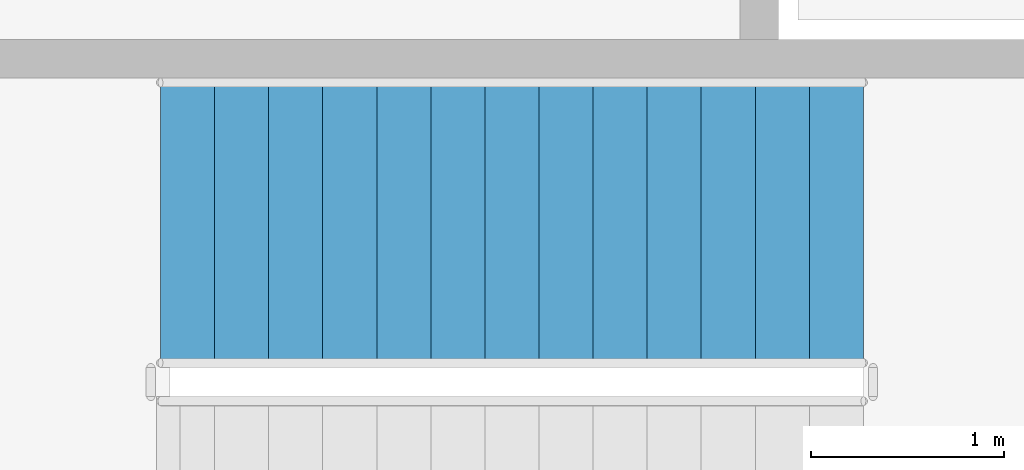
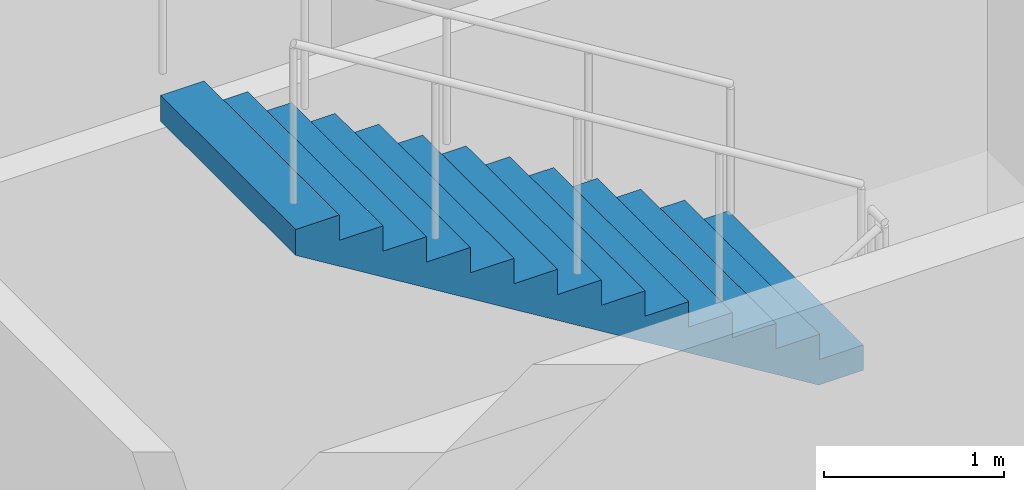
# One storey, part 70 of 91: 1 stair flight, 1 element without a shape of its own.
"""IFC4 building model written with IfcOpenShell, lengths in metres."""

from ifc_helpers import new_model, si_unit, direction, frame, origin, place, context, subcontext, project, spatial, triangles, material, type_object, element, aggregate, save


model = new_model("IFC4")

# Units and contexts
model_context = context("Model", 3, precision=1e-05, world=origin(), true_north=direction((0.0, 1.0)))
body_context = subcontext(model_context, "Body", "Model", "MODEL_VIEW")
ifc_project = project(units=[si_unit("LENGTHUNIT", "METRE"), si_unit("AREAUNIT", "SQUARE_METRE"), si_unit("VOLUMEUNIT", "CUBIC_METRE"), si_unit("PLANEANGLEUNIT", "RADIAN"), si_unit("MASSUNIT", "GRAM", prefix="KILO")], contexts=[model_context])

# Site, building, storey
site_placement = place(None, origin())
site = spatial("IfcSite", under=ifc_project, at=site_placement, CompositionType="ELEMENT")
building_placement = place(site_placement, origin())
building = spatial("IfcBuilding", under=site, at=building_placement, Name="Magnolia Steps Interchange", CompositionType="ELEMENT")
storey_placement = place(building_placement, origin())
storey = spatial("IfcBuildingStorey", under=building, at=storey_placement, Name="L00", CompositionType="ELEMENT", Elevation=0.0)

# Stair, stair flight
ifc_material_1 = material(Name="Concrete C40", Category="concrete")
stair_type = type_object("IfcStairType", Name="Exit stair 1500", PredefinedType="HALF_TURN_STAIR", material=ifc_material_1)
stair_placement = place(storey_placement, origin())
stair = element("IfcStair", 1, at=stair_placement, inside=storey, type_object=stair_type, Name="L00 Stair 4", PredefinedType="HALF_TURN_STAIR")
ifc_material_2 = material(Name="Concrete C40", Category="concrete")
stair_flight_type = type_object("IfcStairFlightType", Name="Exit stair flight", PredefinedType="STRAIGHT", material=ifc_material_2)
stair_flight_placement = place(storey_placement, frame((115.840087890625, 77.699951171875, 2.39990234375), z_axis=(0.0, 0.0, 1.0), x_axis=(-1.0, 0.0, 0.0)))
stair_flight = element("IfcStairFlight", 2, at=stair_flight_placement, type_object=stair_flight_type, Name="Stair 4 flight 2", NumberOfRisers=14, NumberOfTreads=13, PredefinedType="STRAIGHT", RiserHeight=0.171428571, TreadLength=0.28, context=body_context, shape_type="Tessellation", body=[
    triangles([(0.0, -0.75, 0.0), (0.287109375, -0.75, 0.0), (3.639892578125, -0.75, 2.052734375), (3.639892578125, -0.75, 2.228515625), (3.360107421875, -0.75, 2.228515625), (3.360107421875, -0.75, 2.05712890625), (3.080078125, -0.75, 2.05712890625), (3.080078125, -0.75, 1.8857421875), (2.800048828125, -0.75, 1.8857421875), (2.800048828125, -0.75, 1.71435546875), (2.52001953125, -0.75, 1.71435546875), (2.52001953125, -0.75, 1.54296875), (2.239990234375, -0.75, 1.54296875), (2.239990234375, -0.75, 1.371337890625), (1.9599609375, -0.75, 1.371337890625), (1.9599609375, -0.75, 1.199951171875), (1.679931640625, -0.75, 1.199951171875), (1.679931640625, -0.75, 1.028564453125), (1.39990234375, -0.75, 1.028564453125), (1.39990234375, -0.75, 0.857177734375), (1.1201171875, -0.75, 0.857177734375), (1.1201171875, -0.75, 0.685791015625), (0.840087890625, -0.75, 0.685791015625), (0.840087890625, -0.75, 0.514404296875), (0.56005859375, -0.75, 0.514404296875), (0.56005859375, -0.75, 0.3427734375), (0.280029296875, -0.75, 0.3427734375), (0.280029296875, -0.75, 0.17138671875), (0.0, -0.75, 0.17138671875), (0.0, 0.75, 0.0), (0.287109375, 0.75, 0.0), (3.639892578125, 0.75, 2.052734375), (3.639892578125, 0.75, 2.228515625), (3.360107421875, 0.75, 2.228515625), (3.360107421875, 0.75, 2.05712890625), (3.080078125, 0.75, 2.05712890625), (3.080078125, 0.75, 1.8857421875), (2.800048828125, 0.75, 1.8857421875), (2.800048828125, 0.75, 1.71435546875), (2.52001953125, 0.75, 1.71435546875), (2.52001953125, 0.75, 1.54296875), (2.239990234375, 0.75, 1.54296875), (2.239990234375, 0.75, 1.371337890625), (1.9599609375, 0.75, 1.371337890625), (1.9599609375, 0.75, 1.199951171875), (1.679931640625, 0.75, 1.199951171875), (1.679931640625, 0.75, 1.028564453125), (1.39990234375, 0.75, 1.028564453125), (1.39990234375, 0.75, 0.857177734375), (1.1201171875, 0.75, 0.857177734375), (1.1201171875, 0.75, 0.685791015625), (0.840087890625, 0.75, 0.685791015625), (0.840087890625, 0.75, 0.514404296875), (0.56005859375, 0.75, 0.514404296875), (0.56005859375, 0.75, 0.3427734375), (0.280029296875, 0.75, 0.3427734375), (0.280029296875, 0.75, 0.17138671875), (0.0, 0.75, 0.17138671875), (0.0, 0.0, 0.0), (0.0, 0.0, 0.0428466796875), (0.0, 0.0, 0.085693359375), (0.0, 0.0, 0.1285400390625), (0.0, 0.0, 0.17138671875), (0.0, -0.05, 0.0), (0.0, -0.05, 0.17138671875), (0.0, 0.05, 0.0), (0.0, 0.05, 0.17138671875), (0.046671549479166664, 0.0, 0.17138671875), (0.09334309895833333, 0.0, 0.17138671875), (0.1400146484375, 0.0, 0.17138671875), (0.18668619791666666, 0.0, 0.17138671875), (0.23335774739583334, 0.0, 0.17138671875), (0.280029296875, 0.0, 0.17138671875), (0.280029296875, -0.05, 0.17138671875), (0.280029296875, 0.05, 0.17138671875), (0.280029296875, 0.0, 0.2142333984375), (0.280029296875, 0.0, 0.257080078125), (0.280029296875, 0.0, 0.2999267578125), (0.280029296875, 0.0, 0.3427734375), (0.280029296875, -0.05, 0.3427734375), (0.280029296875, 0.05, 0.3427734375), (0.3267008463541667, 0.0, 0.3427734375), (0.3733723958333333, 0.0, 0.3427734375), (0.4200439453125, 0.0, 0.3427734375), (0.46671549479166663, 0.0, 0.3427734375), (0.5133870442708334, 0.0, 0.3427734375), (0.56005859375, 0.0, 0.3427734375), (0.56005859375, -0.05, 0.3427734375), (0.56005859375, 0.05, 0.3427734375), (0.56005859375, 0.0, 0.38568115234375), (0.56005859375, 0.0, 0.4285888671875), (0.56005859375, 0.0, 0.47149658203125), (0.56005859375, 0.0, 0.514404296875), (0.56005859375, -0.05, 0.514404296875), (0.56005859375, 0.05, 0.514404296875), (0.6067301432291666, 0.0, 0.514404296875), (0.6534016927083334, 0.0, 0.514404296875), (0.7000732421875, 0.0, 0.514404296875), (0.7467447916666666, 0.0, 0.514404296875), (0.7934163411458334, 0.0, 0.514404296875), (0.840087890625, 0.0, 0.514404296875), (0.840087890625, -0.05, 0.514404296875), (0.840087890625, 0.05, 0.514404296875), (0.840087890625, 0.0, 0.5572509765625), (0.840087890625, 0.0, 0.60009765625), (0.840087890625, 0.0, 0.6429443359375), (0.840087890625, 0.0, 0.685791015625), (0.840087890625, -0.05, 0.685791015625), (0.840087890625, 0.05, 0.685791015625), (0.8867594401041666, 0.0, 0.685791015625), (0.9334309895833334, 0.0, 0.685791015625), (0.9801025390625, 0.0, 0.685791015625), (1.0267740885416667, 0.0, 0.685791015625), (1.0734456380208333, 0.0, 0.685791015625), (1.1201171875, 0.0, 0.685791015625), (1.1201171875, -0.05, 0.685791015625), (1.1201171875, 0.05, 0.685791015625), (1.1201171875, 0.0, 0.7286376953125), (1.1201171875, 0.0, 0.771484375), (1.1201171875, 0.0, 0.8143310546875), (1.1201171875, 0.0, 0.857177734375), (1.1201171875, -0.05, 0.857177734375), (1.1201171875, 0.05, 0.857177734375), (1.1900634765625, 0.0, 0.857177734375), (1.260009765625, 0.0, 0.857177734375), (1.3299560546875, 0.0, 0.857177734375), (1.39990234375, 0.0, 0.857177734375), (1.39990234375, -0.05, 0.857177734375), (1.39990234375, 0.05, 0.857177734375), (1.39990234375, 0.0, 0.9000244140625), (1.39990234375, 0.0, 0.94287109375), (1.39990234375, 0.0, 0.9857177734375), (1.39990234375, 0.0, 1.028564453125), (1.39990234375, -0.05, 1.028564453125), (1.39990234375, 0.05, 1.028564453125), (1.4465738932291667, 0.0, 1.028564453125), (1.4932454427083333, 0.0, 1.028564453125), (1.5399169921875, 0.0, 1.028564453125), (1.5865885416666667, 0.0, 1.028564453125), (1.6332600911458333, 0.0, 1.028564453125), (1.679931640625, 0.0, 1.028564453125), (1.679931640625, -0.05, 1.028564453125), (1.679931640625, 0.05, 1.028564453125), (1.679931640625, 0.0, 1.0714111328125), (1.679931640625, 0.0, 1.1142578125), (1.679931640625, 0.0, 1.1571044921875), (1.679931640625, 0.0, 1.199951171875), (1.679931640625, -0.05, 1.199951171875), (1.679931640625, 0.05, 1.199951171875), (1.7266031901041667, 0.0, 1.199951171875), (1.7732747395833333, 0.0, 1.199951171875), (1.8199462890625, 0.0, 1.199951171875), (1.8666178385416667, 0.0, 1.199951171875), (1.9132893880208333, 0.0, 1.199951171875), (1.9599609375, 0.0, 1.199951171875), (1.9599609375, -0.05, 1.199951171875), (1.9599609375, 0.05, 1.199951171875), (1.9599609375, 0.0, 1.2427978515625), (1.9599609375, 0.0, 1.28564453125), (1.9599609375, 0.0, 1.3284912109375), (1.9599609375, 0.0, 1.371337890625), (1.9599609375, -0.05, 1.371337890625), (1.9599609375, 0.05, 1.371337890625), (2.0066324869791665, 0.0, 1.371337890625), (2.0533040364583335, 0.0, 1.371337890625), (2.0999755859375, 0.0, 1.371337890625), (2.1466471354166665, 0.0, 1.371337890625), (2.1933186848958335, 0.0, 1.371337890625), (2.239990234375, 0.0, 1.371337890625), (2.239990234375, -0.05, 1.371337890625), (2.239990234375, 0.05, 1.371337890625), (2.239990234375, 0.0, 1.41424560546875), (2.239990234375, 0.0, 1.4571533203125), (2.239990234375, 0.0, 1.50006103515625), (2.239990234375, 0.0, 1.54296875), (2.239990234375, -0.05, 1.54296875), (2.239990234375, 0.05, 1.54296875), (2.2866617838541665, 0.0, 1.54296875), (2.3333333333333335, 0.0, 1.54296875), (2.3800048828125, 0.0, 1.54296875), (2.4266764322916665, 0.0, 1.54296875), (2.4733479817708335, 0.0, 1.54296875), (2.52001953125, 0.0, 1.54296875), (2.52001953125, -0.05, 1.54296875), (2.52001953125, 0.05, 1.54296875), (2.52001953125, 0.0, 1.5858154296875), (2.52001953125, 0.0, 1.628662109375), (2.52001953125, 0.0, 1.6715087890625), (2.52001953125, 0.0, 1.71435546875), (2.52001953125, -0.05, 1.71435546875), (2.52001953125, 0.05, 1.71435546875), (2.5666910807291665, 0.0, 1.71435546875), (2.6133626302083335, 0.0, 1.71435546875), (2.6600341796875, 0.0, 1.71435546875), (2.7067057291666665, 0.0, 1.71435546875), (2.7533772786458335, 0.0, 1.71435546875), (2.800048828125, 0.0, 1.71435546875), (2.800048828125, -0.05, 1.71435546875), (2.800048828125, 0.05, 1.71435546875), (2.800048828125, 0.0, 1.7572021484375), (2.800048828125, 0.0, 1.800048828125), (2.800048828125, 0.0, 1.8428955078125), (2.800048828125, 0.0, 1.8857421875), (2.800048828125, -0.05, 1.8857421875), (2.800048828125, 0.05, 1.8857421875), (2.8467203776041665, 0.0, 1.8857421875), (2.8933919270833335, 0.0, 1.8857421875), (2.9400634765625, 0.0, 1.8857421875), (2.9867350260416665, 0.0, 1.8857421875), (3.0334065755208335, 0.0, 1.8857421875), (3.080078125, 0.0, 1.8857421875), (3.080078125, -0.05, 1.8857421875), (3.080078125, 0.05, 1.8857421875), (3.080078125, 0.0, 1.9285888671875), (3.080078125, 0.0, 1.971435546875), (3.080078125, 0.0, 2.0142822265625), (3.080078125, 0.0, 2.05712890625), (3.080078125, -0.05, 2.05712890625), (3.080078125, 0.05, 2.05712890625), (3.1267496744791665, 0.0, 2.05712890625), (3.1734212239583335, 0.0, 2.05712890625), (3.2200927734375, 0.0, 2.05712890625), (3.2667643229166665, 0.0, 2.05712890625), (3.3134358723958335, 0.0, 2.05712890625), (3.360107421875, 0.0, 2.05712890625), (3.360107421875, -0.05, 2.05712890625), (3.360107421875, 0.05, 2.05712890625), (3.360107421875, 0.0, 2.0999755859375), (3.360107421875, 0.0, 2.142822265625), (3.360107421875, 0.0, 2.1856689453125), (3.360107421875, 0.0, 2.228515625), (3.360107421875, -0.05, 2.228515625), (3.360107421875, 0.05, 2.228515625), (3.4300537109375, 0.0, 2.228515625), (3.5, 0.0, 2.228515625), (3.5699462890625, 0.0, 2.228515625), (3.639892578125, 0.0, 2.228515625), (3.639892578125, -0.05, 2.228515625), (3.639892578125, 0.05, 2.228515625), (3.639892578125, 0.0, 2.1845703125), (3.639892578125, 0.0, 2.140625), (3.639892578125, 0.0, 2.0966796875), (3.639892578125, 0.0, 2.052734375), (3.639892578125, -0.05, 2.052734375), (3.639892578125, 0.05, 2.052734375), (3.582085971174569, 0.0, 2.0173424030172415), (3.524279364224138, 0.0, 1.9819504310344827), (3.466472757273707, 0.0, 1.9465584590517242), (3.408666150323276, 0.0, 1.9111664870689655), (3.3508595433728448, 0.0, 1.8757745150862069), (3.2930529364224137, 0.0, 1.8403825431034484), (3.2352463294719827, 0.0, 1.8049905711206897), (3.1774397225215516, 0.0, 1.769598599137931), (3.1196331155711206, 0.0, 1.7342066271551724), (3.0618265086206895, 0.0, 1.6988146551724137), (3.004019901670259, 0.0, 1.6634226831896552), (2.9462132947198274, 0.0, 1.6280307112068966), (2.888406687769397, 0.0, 1.592638739224138), (2.8306000808189653, 0.0, 1.5572467672413794), (2.7727934738685347, 0.0, 1.5218547952586206), (2.714986866918103, 0.0, 1.486462823275862), (2.6571802599676726, 0.0, 1.4510708512931034), (2.599373653017241, 0.0, 1.4156788793103448), (2.5415670460668105, 0.0, 1.3802869073275863), (2.483760439116379, 0.0, 1.3448949353448276), (2.4259538321659484, 0.0, 1.309502963362069), (2.3681472252155173, 0.0, 1.2741109913793105), (2.3103406182650863, 0.0, 1.2387190193965516), (2.2525340113146552, 0.0, 1.2033270474137931), (2.194727404364224, 0.0, 1.1679350754310345), (2.136920797413793, 0.0, 1.1325431034482758), (2.079114190463362, 0.0, 1.0971511314655173), (2.021307583512931, 0.0, 1.0617591594827587), (1.9635009765625, 0.0, 1.0263671875), (1.905694369612069, 0.0, 0.9909752155172413), (1.847887762661638, 0.0, 0.9555832435344827), (1.7900811557112069, 0.0, 0.9201912715517242), (1.7322745487607758, 0.0, 0.8847992995689655), (1.6744679418103448, 0.0, 0.8494073275862069), (1.6166613348599137, 0.0, 0.8140153556034482), (1.5588547279094827, 0.0, 0.7786233836206897), (1.5010481209590516, 0.0, 0.743231411637931), (1.4432415140086206, 0.0, 0.7078394396551724), (1.3854349070581895, 0.0, 0.6724474676724137), (1.3276283001077585, 0.0, 0.6370554956896552), (1.2698216931573274, 0.0, 0.6016635237068966), (1.2120150862068964, 0.0, 0.5662715517241379), (1.1542084792564653, 0.0, 0.5308795797413792), (1.0964018723060347, 0.0, 0.4954876077586208), (1.0385952653556036, 0.0, 0.4600956357758621), (0.9807886584051726, 0.0, 0.4247036637931034), (0.9229820514547415, 0.0, 0.38931169181034475), (0.8651754445043105, 0.0, 0.3539197198275863), (0.8073688375538794, 0.0, 0.3185277478448276), (0.7495622306034484, 0.0, 0.28313577586206895), (0.6917556236530173, 0.0, 0.24774380387931028), (0.6339490167025863, 0.0, 0.21235183189655182), (0.5761424097521552, 0.0, 0.17695985991379315), (0.5183358028017242, 0.0, 0.14156788793103448), (0.46052919585129315, 0.0, 0.1061759159482758), (0.4027225889008621, 0.0, 0.07078394396551735), (0.34491598195043105, 0.0, 0.03539197198275845), (0.287109375, 0.0, 0.0), (0.287109375, -0.05, 0.0), (0.287109375, 0.05, 0.0), (0.2392578125, 0.0, 0.0), (0.19140625, 0.0, 0.0), (0.1435546875, 0.0, 0.0), (0.095703125, 0.0, 0.0), (0.0478515625, 0.0, 0.0)], [[1, 2, 3], [3, 4, 5], [3, 5, 6], [3, 6, 7], [3, 7, 8], [8, 9, 10], [3, 8, 10], [10, 11, 12], [3, 10, 12], [12, 13, 14], [3, 12, 14], [14, 15, 16], [3, 14, 16], [16, 17, 18], [3, 16, 18], [18, 19, 20], [3, 18, 20], [20, 21, 22], [3, 20, 22], [22, 23, 24], [3, 22, 24], [24, 25, 26], [3, 24, 26], [26, 27, 28], [3, 26, 28], [1, 3, 28], [28, 29, 1], [30, 32, 31], [32, 34, 33], [32, 35, 34], [32, 36, 35], [32, 37, 36], [37, 39, 38], [32, 39, 37], [39, 41, 40], [32, 41, 39], [41, 43, 42], [32, 43, 41], [43, 45, 44], [32, 45, 43], [45, 47, 46], [32, 47, 45], [47, 49, 48], [32, 49, 47], [49, 51, 50], [32, 51, 49], [51, 53, 52], [32, 53, 51], [53, 55, 54], [32, 55, 53], [55, 57, 56], [32, 57, 55], [30, 57, 32], [57, 30, 58], [1, 29, 65], [1, 65, 64], [64, 60, 59], [64, 61, 60], [64, 65, 61], [65, 62, 61], [65, 63, 62], [30, 67, 58], [30, 66, 67], [66, 59, 60], [66, 60, 61], [66, 61, 67], [67, 61, 62], [67, 62, 63], [29, 28, 74], [29, 74, 65], [65, 68, 63], [65, 69, 68], [65, 70, 69], [65, 74, 70], [74, 71, 70], [74, 72, 71], [74, 73, 72], [58, 75, 57], [58, 67, 75], [67, 63, 68], [67, 68, 69], [67, 69, 70], [67, 70, 75], [75, 70, 71], [75, 71, 72], [75, 72, 73], [28, 27, 80], [28, 80, 74], [74, 76, 73], [74, 77, 76], [74, 80, 77], [80, 78, 77], [80, 79, 78], [57, 81, 56], [57, 75, 81], [75, 73, 76], [75, 76, 77], [75, 77, 81], [81, 77, 78], [81, 78, 79], [27, 26, 88], [27, 88, 80], [80, 82, 79], [80, 83, 82], [80, 84, 83], [80, 88, 84], [88, 85, 84], [88, 86, 85], [88, 87, 86], [56, 89, 55], [56, 81, 89], [81, 79, 82], [81, 82, 83], [81, 83, 84], [81, 84, 89], [89, 84, 85], [89, 85, 86], [89, 86, 87], [26, 25, 94], [26, 94, 88], [88, 90, 87], [88, 91, 90], [88, 94, 91], [94, 92, 91], [94, 93, 92], [55, 95, 54], [55, 89, 95], [89, 87, 90], [89, 90, 91], [89, 91, 95], [95, 91, 92], [95, 92, 93], [25, 24, 102], [25, 102, 94], [94, 96, 93], [94, 97, 96], [94, 98, 97], [94, 102, 98], [102, 99, 98], [102, 100, 99], [102, 101, 100], [54, 103, 53], [54, 95, 103], [95, 93, 96], [95, 96, 97], [95, 97, 98], [95, 98, 103], [103, 98, 99], [103, 99, 100], [103, 100, 101], [24, 23, 108], [24, 108, 102], [102, 104, 101], [102, 105, 104], [102, 108, 105], [108, 106, 105], [108, 107, 106], [53, 109, 52], [53, 103, 109], [103, 101, 104], [103, 104, 105], [103, 105, 109], [109, 105, 106], [109, 106, 107], [23, 22, 116], [23, 116, 108], [108, 110, 107], [108, 111, 110], [108, 112, 111], [108, 116, 112], [116, 113, 112], [116, 114, 113], [116, 115, 114], [52, 117, 51], [52, 109, 117], [109, 107, 110], [109, 110, 111], [109, 111, 112], [109, 112, 117], [117, 112, 113], [117, 113, 114], [117, 114, 115], [22, 21, 122], [22, 122, 116], [116, 118, 115], [116, 119, 118], [116, 122, 119], [122, 120, 119], [122, 121, 120], [51, 123, 50], [51, 117, 123], [117, 115, 118], [117, 118, 119], [117, 119, 123], [123, 119, 120], [123, 120, 121], [21, 20, 128], [21, 128, 122], [122, 124, 121], [122, 125, 124], [122, 128, 125], [128, 126, 125], [128, 127, 126], [50, 129, 49], [50, 123, 129], [123, 121, 124], [123, 124, 125], [123, 125, 129], [129, 125, 126], [129, 126, 127], [20, 19, 134], [20, 134, 128], [128, 130, 127], [128, 131, 130], [128, 134, 131], [134, 132, 131], [134, 133, 132], [49, 135, 48], [49, 129, 135], [129, 127, 130], [129, 130, 131], [129, 131, 135], [135, 131, 132], [135, 132, 133], [19, 18, 142], [19, 142, 134], [134, 136, 133], [134, 137, 136], [134, 138, 137], [134, 142, 138], [142, 139, 138], [142, 140, 139], [142, 141, 140], [48, 143, 47], [48, 135, 143], [135, 133, 136], [135, 136, 137], [135, 137, 138], [135, 138, 143], [143, 138, 139], [143, 139, 140], [143, 140, 141], [18, 17, 148], [18, 148, 142], [142, 144, 141], [142, 145, 144], [142, 148, 145], [148, 146, 145], [148, 147, 146], [47, 149, 46], [47, 143, 149], [143, 141, 144], [143, 144, 145], [143, 145, 149], [149, 145, 146], [149, 146, 147], [17, 16, 156], [17, 156, 148], [148, 150, 147], [148, 151, 150], [148, 152, 151], [148, 156, 152], [156, 153, 152], [156, 154, 153], [156, 155, 154], [46, 157, 45], [46, 149, 157], [149, 147, 150], [149, 150, 151], [149, 151, 152], [149, 152, 157], [157, 152, 153], [157, 153, 154], [157, 154, 155], [16, 15, 162], [16, 162, 156], [156, 158, 155], [156, 159, 158], [156, 162, 159], [162, 160, 159], [162, 161, 160], [45, 163, 44], [45, 157, 163], [157, 155, 158], [157, 158, 159], [157, 159, 163], [163, 159, 160], [163, 160, 161], [15, 14, 170], [15, 170, 162], [162, 164, 161], [162, 165, 164], [162, 166, 165], [162, 170, 166], [170, 167, 166], [170, 168, 167], [170, 169, 168], [44, 171, 43], [44, 163, 171], [163, 161, 164], [163, 164, 165], [163, 165, 166], [163, 166, 171], [171, 166, 167], [171, 167, 168], [171, 168, 169], [14, 13, 176], [14, 176, 170], [170, 172, 169], [170, 173, 172], [170, 176, 173], [176, 174, 173], [176, 175, 174], [43, 177, 42], [43, 171, 177], [171, 169, 172], [171, 172, 173], [171, 173, 177], [177, 173, 174], [177, 174, 175], [13, 12, 184], [13, 184, 176], [176, 178, 175], [176, 179, 178], [176, 180, 179], [176, 184, 180], [184, 181, 180], [184, 182, 181], [184, 183, 182], [42, 185, 41], [42, 177, 185], [177, 175, 178], [177, 178, 179], [177, 179, 180], [177, 180, 185], [185, 180, 181], [185, 181, 182], [185, 182, 183], [12, 11, 190], [12, 190, 184], [184, 186, 183], [184, 187, 186], [184, 190, 187], [190, 188, 187], [190, 189, 188], [41, 191, 40], [41, 185, 191], [185, 183, 186], [185, 186, 187], [185, 187, 191], [191, 187, 188], [191, 188, 189], [11, 10, 198], [11, 198, 190], [190, 192, 189], [190, 193, 192], [190, 194, 193], [190, 198, 194], [198, 195, 194], [198, 196, 195], [198, 197, 196], [40, 199, 39], [40, 191, 199], [191, 189, 192], [191, 192, 193], [191, 193, 194], [191, 194, 199], [199, 194, 195], [199, 195, 196], [199, 196, 197], [10, 9, 204], [10, 204, 198], [198, 200, 197], [198, 201, 200], [198, 204, 201], [204, 202, 201], [204, 203, 202], [39, 205, 38], [39, 199, 205], [199, 197, 200], [199, 200, 201], [199, 201, 205], [205, 201, 202], [205, 202, 203], [9, 8, 212], [9, 212, 204], [204, 206, 203], [204, 207, 206], [204, 208, 207], [204, 212, 208], [212, 209, 208], [212, 210, 209], [212, 211, 210], [38, 213, 37], [38, 205, 213], [205, 203, 206], [205, 206, 207], [205, 207, 208], [205, 208, 213], [213, 208, 209], [213, 209, 210], [213, 210, 211], [8, 7, 218], [8, 218, 212], [212, 214, 211], [212, 215, 214], [212, 218, 215], [218, 216, 215], [218, 217, 216], [37, 219, 36], [37, 213, 219], [213, 211, 214], [213, 214, 215], [213, 215, 219], [219, 215, 216], [219, 216, 217], [7, 6, 226], [7, 226, 218], [218, 220, 217], [218, 221, 220], [218, 222, 221], [218, 226, 222], [226, 223, 222], [226, 224, 223], [226, 225, 224], [36, 227, 35], [36, 219, 227], [219, 217, 220], [219, 220, 221], [219, 221, 222], [219, 222, 227], [227, 222, 223], [227, 223, 224], [227, 224, 225], [6, 5, 232], [6, 232, 226], [226, 228, 225], [226, 229, 228], [226, 232, 229], [232, 230, 229], [232, 231, 230], [35, 233, 34], [35, 227, 233], [227, 225, 228], [227, 228, 229], [227, 229, 233], [233, 229, 230], [233, 230, 231], [5, 4, 238], [5, 238, 232], [232, 234, 231], [232, 235, 234], [232, 238, 235], [238, 236, 235], [238, 237, 236], [34, 239, 33], [34, 233, 239], [233, 231, 234], [233, 234, 235], [233, 235, 239], [239, 235, 236], [239, 236, 237], [4, 3, 244], [4, 244, 238], [238, 240, 237], [238, 241, 240], [238, 244, 241], [244, 242, 241], [244, 243, 242], [33, 245, 32], [33, 239, 245], [239, 237, 240], [239, 240, 241], [239, 241, 245], [245, 241, 242], [245, 242, 243], [3, 2, 304], [3, 304, 244], [244, 246, 243], [244, 247, 246], [244, 248, 247], [244, 249, 248], [244, 250, 249], [244, 251, 250], [244, 252, 251], [244, 253, 252], [244, 254, 253], [244, 255, 254], [244, 256, 255], [244, 257, 256], [244, 258, 257], [244, 259, 258], [244, 260, 259], [244, 261, 260], [244, 262, 261], [244, 263, 262], [244, 264, 263], [244, 265, 264], [244, 266, 265], [244, 267, 266], [244, 268, 267], [244, 269, 268], [244, 270, 269], [244, 271, 270], [244, 272, 271], [244, 273, 272], [244, 274, 273], [244, 304, 274], [304, 275, 274], [304, 276, 275], [304, 277, 276], [304, 278, 277], [304, 279, 278], [304, 280, 279], [304, 281, 280], [304, 282, 281], [304, 283, 282], [304, 284, 283], [304, 285, 284], [304, 286, 285], [304, 287, 286], [304, 288, 287], [304, 289, 288], [304, 290, 289], [304, 291, 290], [304, 292, 291], [304, 293, 292], [304, 294, 293], [304, 295, 294], [304, 296, 295], [304, 297, 296], [304, 298, 297], [304, 299, 298], [304, 300, 299], [304, 301, 300], [304, 302, 301], [304, 303, 302], [32, 305, 31], [32, 245, 305], [245, 243, 246], [245, 246, 247], [245, 247, 248], [245, 248, 249], [245, 249, 250], [245, 250, 251], [245, 251, 252], [245, 252, 253], [245, 253, 254], [245, 254, 255], [245, 255, 256], [245, 256, 257], [245, 257, 258], [245, 258, 259], [245, 259, 260], [245, 260, 261], [245, 261, 262], [245, 262, 263], [245, 263, 264], [245, 264, 265], [245, 265, 266], [245, 266, 267], [245, 267, 268], [245, 268, 269], [245, 269, 270], [245, 270, 271], [245, 271, 272], [245, 272, 273], [245, 273, 274], [245, 274, 305], [305, 274, 275], [305, 275, 276], [305, 276, 277], [305, 277, 278], [305, 278, 279], [305, 279, 280], [305, 280, 281], [305, 281, 282], [305, 282, 283], [305, 283, 284], [305, 284, 285], [305, 285, 286], [305, 286, 287], [305, 287, 288], [305, 288, 289], [305, 289, 290], [305, 290, 291], [305, 291, 292], [305, 292, 293], [305, 293, 294], [305, 294, 295], [305, 295, 296], [305, 296, 297], [305, 297, 298], [305, 298, 299], [305, 299, 300], [305, 300, 301], [305, 301, 302], [305, 302, 303], [2, 1, 64], [2, 64, 304], [304, 306, 303], [304, 307, 306], [304, 308, 307], [304, 64, 308], [64, 309, 308], [64, 310, 309], [64, 59, 310], [31, 66, 30], [31, 305, 66], [305, 303, 306], [305, 306, 307], [305, 307, 308], [305, 308, 66], [66, 308, 309], [66, 309, 310], [66, 310, 59]], closed=True),
])
aggregate(stair, [stair_flight])

save(model, "model.ifc")
